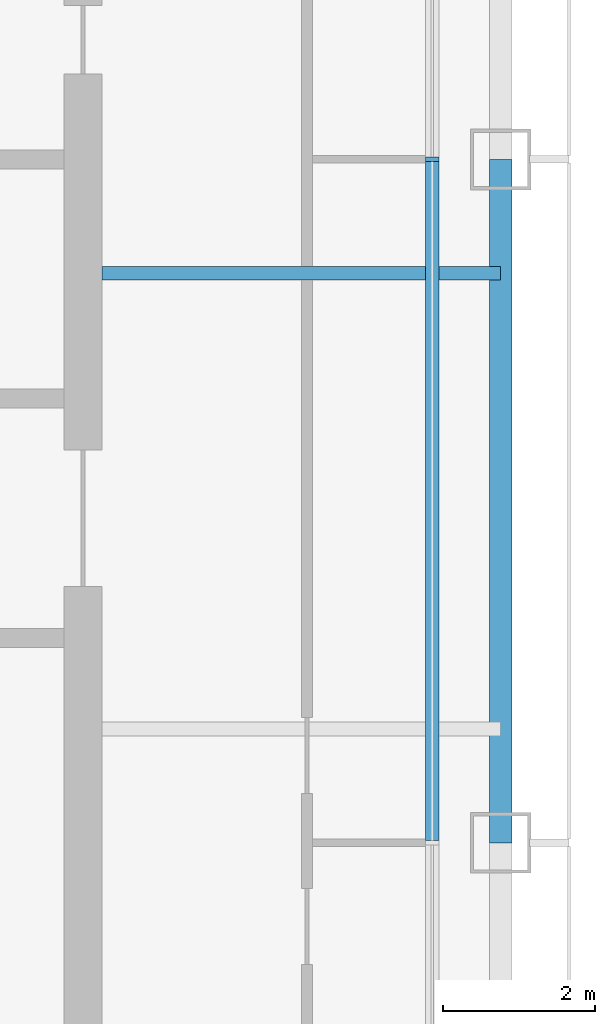
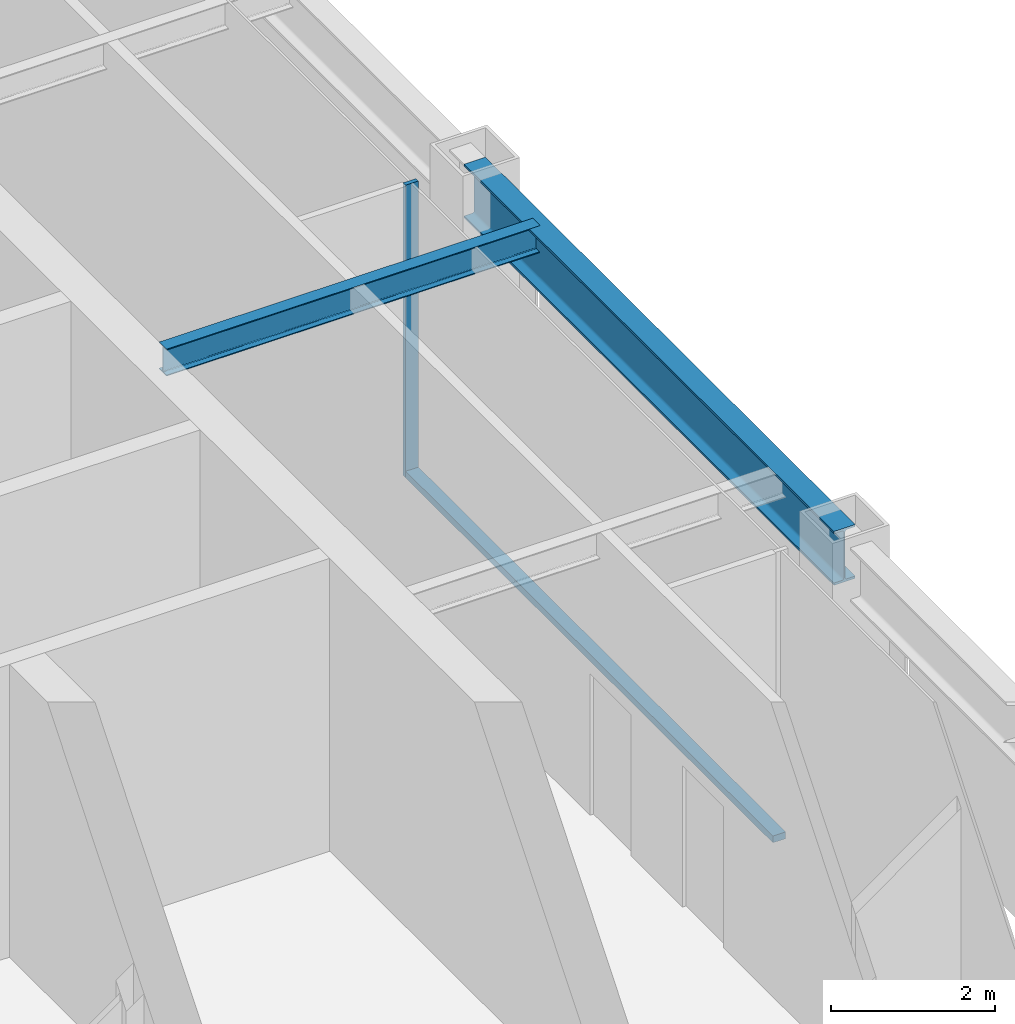
# One storey, part 5 of 23: 2 beams, 2 members, 1 element without a shape of its own.
"""IFC4 building model written with IfcOpenShell, lengths in metres."""

import ifcopenshell
import ifcopenshell.guid

model = None  # the IFC model being written
_history = None  # IfcOwnerHistory: only IFC2X3 demands one
_inside = {}  # id of a spatial element -> (the spatial element, [elements in it])
_under = {}  # id of a project, library or spatial element -> (it, [spatial elements below it])
_declared = {}  # id of a project -> (the project, [libraries it declares])
_typed = {}  # id of a type object -> (the type object, [elements of that type])
_made_of = {}  # id of a material, layer set ... -> (it, [elements and type objects made of it])


def new_model(schema):
    """Start an empty IFC model of exactly this schema.

    Asked for "IFC4X3", IfcOpenShell would pick the latest addendum, in which some entities
    have other attributes; the version numbers below select the first issue.
    IFC2X3 requires an IfcOwnerHistory on every rooted entity: one is made here for all.
    """
    global model, _history
    if schema == "IFC4X3":
        model = ifcopenshell.file(schema_version=(4, 3, 0, 0))
    else:
        model = ifcopenshell.file(schema=schema)
    _inside.clear()
    _under.clear()
    _declared.clear()
    _typed.clear()
    _made_of.clear()
    _history = None
    if model.schema == "IFC2X3":
        org = make("IfcOrganization", Name="unknown")
        user = make(
            "IfcPersonAndOrganization",
            ThePerson=make("IfcPerson", FamilyName="unknown"),
            TheOrganization=org,
        )
        app = make(
            "IfcApplication",
            ApplicationDeveloper=org,
            Version="unknown",
            ApplicationFullName="unknown",
            ApplicationIdentifier="unknown",
        )
        _history = make(
            "IfcOwnerHistory",
            OwningUser=user,
            OwningApplication=app,
            ChangeAction="ADDED",
            CreationDate=0,
        )
    return model


def make(cls, **values):
    """One entity of the class cls with the attributes given. An attribute that is None is left unset."""
    return model.create_entity(
        cls, **{name: value for name, value in values.items() if value is not None}
    )


def rooted(cls, **values):
    """An entity with a GlobalId (a new one), such as an element, a storey or a relation."""
    return make(cls, GlobalId=ifcopenshell.guid.new(), OwnerHistory=_history, **values)


def si_unit(unit_type, name, prefix=None):
    """IfcSIUnit, for example si_unit("LENGTHUNIT", "METRE", prefix="MILLI")."""
    return make("IfcSIUnit", UnitType=unit_type, Prefix=prefix, Name=name)


def assignment(units):
    """IfcUnitAssignment: the units of a project."""
    return None if units is None else make("IfcUnitAssignment", Units=units)


def point(xyz):
    """IfcCartesianPoint."""
    return None if xyz is None else make("IfcCartesianPoint", Coordinates=xyz)


def direction(xyz):
    """IfcDirection."""
    return None if xyz is None else make("IfcDirection", DirectionRatios=xyz)


def frame(location, z_axis=None, x_axis=None):
    """IfcAxis2Placement3D, a coordinate frame: its origin and axes. An axis left out is left unset."""
    return make(
        "IfcAxis2Placement3D",
        Location=point(location),
        Axis=direction(z_axis),
        RefDirection=direction(x_axis),
    )


def frame_2d(location, x_axis=None):
    """IfcAxis2Placement2D, a coordinate frame in the plane: its origin and x axis."""
    return make(
        "IfcAxis2Placement2D", Location=point(location), RefDirection=direction(x_axis)
    )


def origin():
    """The frame at (0, 0, 0) with its axes left unset."""
    return frame((0.0, 0.0, 0.0))


def origin_2d():
    """The frame at (0, 0) in the plane with its x axis left unset."""
    return frame_2d((0.0, 0.0))


def place(relative_to, where):
    """IfcLocalPlacement: puts the frame where relative to a parent placement (None: the world)."""
    return make(
        "IfcLocalPlacement", PlacementRelTo=relative_to, RelativePlacement=where
    )


def context(
    kind, dimensions, precision=None, world=None, true_north=None, identifier=None
):
    """IfcGeometricRepresentationContext, for example the 3D "Model" context."""
    return make(
        "IfcGeometricRepresentationContext",
        ContextIdentifier=identifier,
        ContextType=kind,
        CoordinateSpaceDimension=dimensions,
        Precision=precision,
        WorldCoordinateSystem=world,
        TrueNorth=true_north,
    )


def subcontext(parent, identifier, kind, view, scale=None):
    """IfcGeometricRepresentationSubContext, for example "Body" below "Model"."""
    return make(
        "IfcGeometricRepresentationSubContext",
        ContextIdentifier=identifier,
        ContextType=kind,
        ParentContext=parent,
        TargetScale=scale,
        TargetView=view,
    )


def project(units=None, contexts=None):
    """IfcProject with its units and contexts."""
    return rooted(
        "IfcProject",
        Name="project",
        RepresentationContexts=contexts,
        UnitsInContext=assignment(units),
    )


def spatial(cls, under=None, at=None, **own):
    """A site, building, storey or space (cls), placed at a placement, below another one or the project."""
    s = rooted(cls, ObjectPlacement=at, **own)
    if under is not None:
        _under.setdefault(under.id(), (under, []))[1].append(s)
    return s


def profile(cls, at=None, kind="AREA", **sizes):
    """A parametric profile (cls). Its sizes go by their IFC names, for example OverallWidth=200.0."""
    return make(cls, ProfileType=kind, Position=at, **sizes)


def rectangle(**sizes):
    """IfcRectangleProfileDef."""
    return profile("IfcRectangleProfileDef", **sizes)


def i_section(**sizes):
    """IfcIShapeProfileDef."""
    return profile("IfcIShapeProfileDef", **sizes)


def extrude(swept, where, along, depth):
    """IfcExtrudedAreaSolid: the profile swept, set in the frame where, extruded along a direction by depth."""
    return make(
        "IfcExtrudedAreaSolid",
        SweptArea=swept,
        Position=where,
        ExtrudedDirection=direction(along),
        Depth=depth,
    )


def shape(context_of_items, identifier, shape_type, items):
    """IfcShapeRepresentation: the items that make up one representation, for example the "Body"."""
    return make(
        "IfcShapeRepresentation",
        ContextOfItems=context_of_items,
        RepresentationIdentifier=identifier,
        RepresentationType=shape_type,
        Items=items,
    )


def material(Name=None, Category=None):
    """IfcMaterial."""
    return make("IfcMaterial", Name=Name, Category=Category)


def layer(
    of_material, thickness, ventilated=None, Name=None, Category=None, Priority=None
):
    """IfcMaterialLayer: one layer of a wall or slab, of a material (None: an air gap)."""
    return make(
        "IfcMaterialLayer",
        Material=of_material,
        LayerThickness=thickness,
        IsVentilated=ventilated,
        Name=Name,
        Category=Category,
        Priority=Priority,
    )


def layer_set(layers, Name=None):
    """IfcMaterialLayerSet."""
    return make("IfcMaterialLayerSet", MaterialLayers=layers, LayerSetName=Name)


def material_profile(
    of_material, cross_section, Name=None, Category=None, Priority=None
):
    """IfcMaterialProfile: a cross section and its material."""
    return make(
        "IfcMaterialProfile",
        Name=Name,
        Material=of_material,
        Profile=cross_section,
        Priority=Priority,
        Category=Category,
    )


def profile_set(profiles, Name=None, composite=None):
    """IfcMaterialProfileSet."""
    return make(
        "IfcMaterialProfileSet",
        Name=Name,
        MaterialProfiles=profiles,
        CompositeProfile=composite,
    )


def made_of(thing, what):
    """Note that an element or type object is made of a material, layer set ...; save() writes the relation."""
    if what is not None:
        _made_of.setdefault(what.id(), (what, []))[1].append(thing)
    return thing


def type_object(cls, material=None, **own):
    """A type object (cls), such as IfcWallType, which elements share."""
    return made_of(rooted(cls, **own), material)


def element(
    cls,
    number,
    at=None,
    inside=None,
    cuts=None,
    type_object=None,
    material=None,
    context=None,
    identifier="Body",
    shape_type=None,
    held_by="IfcProductDefinitionShape",
    body=None,
    shapes=None,
    **own,
):
    """One element of the class cls, such as IfcWall. Its Tag is "e" and its number.

    at: its placement. inside: the storey or other place that contains it. cuts: it is an
    opening in that element (IfcRelVoidsElement). A single representation is given by context,
    identifier, shape_type and body (its items); several are given by shapes. held_by: the class
    of the entity that holds the representations. save() writes the other relations.
    """
    e = rooted(cls, Tag="e%d" % number, ObjectPlacement=at, **own)
    if body is not None:
        shapes = [shape(context, identifier, shape_type, body)]
    if shapes is not None:
        e.Representation = make(held_by, Representations=shapes)
    if inside is not None:
        _inside.setdefault(inside.id(), (inside, []))[1].append(e)
    if cuts is not None:
        rooted(
            "IfcRelVoidsElement", RelatingBuildingElement=cuts, RelatedOpeningElement=e
        )
    if type_object is not None:
        _typed.setdefault(type_object.id(), (type_object, []))[1].append(e)
    return made_of(e, material)


def aggregate(whole, parts):
    """IfcRelAggregates: a whole, such as a stair, and the parts it consists of."""
    return rooted("IfcRelAggregates", RelatingObject=whole, RelatedObjects=parts)


def save(model, path):
    """Write the relations noted so far, then the file.

    IfcRelAggregates (storeys below a building ...), IfcRelContainedInSpatialStructure (elements
    in a storey), IfcRelDefinesByType, IfcRelAssociatesMaterial and IfcRelDeclares: one each for
    every whole, place, type object, material and project.
    """
    for whole, parts in _under.values():
        aggregate(whole, parts)
    for where, things in _inside.values():
        rooted(
            "IfcRelContainedInSpatialStructure",
            RelatedElements=things,
            RelatingStructure=where,
        )
    for kind, things in _typed.values():
        rooted("IfcRelDefinesByType", RelatedObjects=things, RelatingType=kind)
    for what, things in _made_of.values():
        rooted("IfcRelAssociatesMaterial", RelatedObjects=things, RelatingMaterial=what)
    for by, libraries in _declared.values():
        rooted("IfcRelDeclares", RelatingContext=by, RelatedDefinitions=libraries)
    model.write(path)


model = new_model("IFC4")

# Units and contexts
model_context = context("Model", 3, precision=1e-05, world=origin(), true_north=direction((0.0, 1.0)))
body_context = subcontext(model_context, "Body", "Model", "MODEL_VIEW")
ifc_project = project(units=[si_unit("LENGTHUNIT", "METRE"), si_unit("AREAUNIT", "SQUARE_METRE"), si_unit("VOLUMEUNIT", "CUBIC_METRE"), si_unit("PLANEANGLEUNIT", "RADIAN"), si_unit("MASSUNIT", "GRAM", prefix="KILO")], contexts=[model_context])

# Site, building, storey
site_placement = place(None, origin())
site = spatial("IfcSite", under=ifc_project, at=site_placement, CompositionType="ELEMENT")
building_placement = place(site_placement, origin())
building = spatial("IfcBuilding", under=site, at=building_placement, Name="Siwar Civic Tower", CompositionType="ELEMENT")
storey_placement = place(building_placement, frame((0.0, 0.0, 260.199951171875)))
storey = spatial("IfcBuildingStorey", under=building, at=storey_placement, Name="L56", CompositionType="ELEMENT", Elevation=260.199951171875)

# Curtain wall, members
ifc_material_1 = material(Name="Aluminium and glass", Category="aluminium")
ifc_layer = layer(ifc_material_1, 0.179931640625)
ifc_layer_set = layer_set([ifc_layer], Name="Aluminium and glass")
curtain_wall_type = type_object("IfcCurtainWallType", Name="ENV-CW-C", PredefinedType="NOTDEFINED", material=ifc_layer_set)
curtain_wall_placement = place(storey_placement, origin())
curtain_wall = element("IfcCurtainWall", 1, at=curtain_wall_placement, inside=storey, type_object=curtain_wall_type, Name="Curtain wall C E", PredefinedType="NOTDEFINED")
ifc_material_2 = material(Name="Aluminium 6063-T6", Category="aluminium")
ifc_material_profile_1 = material_profile(ifc_material_2, rectangle(XDim=0.179931640625, YDim=0.06005859375, at=origin_2d()), Name="AL 180x60")
ifc_profile_set_1 = profile_set([ifc_material_profile_1], Name="Aluminium 6063-T6")
member_type_1 = type_object("IfcMemberType", Name="ENV-MULLION-C", PredefinedType="MULLION", material=ifc_profile_set_1)
member_1_placement = place(storey_placement, frame((26.10009765625, 0.0, 0.0), z_axis=(0.0, 0.0, 1.0), x_axis=(-1.0, 0.0, 0.0)))
member_1 = element("IfcMember", 2, at=member_1_placement, type_object=member_type_1, Name="Mullion C E 3", PredefinedType="MULLION", context=body_context, shape_type="SweptSolid", body=[
    extrude(rectangle(XDim=0.179931640625, YDim=0.06005859375, at=origin_2d()), origin(), (0.0, 0.0, 1.0), 4.35009765625),
])
ifc_material_3 = material(Name="Aluminium 6063-T6", Category="aluminium")
ifc_material_profile_2 = material_profile(ifc_material_3, rectangle(XDim=0.179931640625, YDim=0.10009765625, at=origin_2d()), Name="AL 180x100")
ifc_profile_set_2 = profile_set([ifc_material_profile_2], Name="Aluminium 6063-T6")
member_type_2 = type_object("IfcMemberType", Name="ENV-TRANSOM-C", PredefinedType="USERDEFINED", material=ifc_profile_set_2)
member_2_placement = place(storey_placement, frame((26.10009765625, -8.969970703125, 0.050048828125), z_axis=(0.0, 1.0, 0.0), x_axis=(-1.0, 0.0, 0.0)))
member_2 = element("IfcMember", 3, at=member_2_placement, type_object=member_type_2, Name="Transom C E 2", ObjectType="TRANSOM", PredefinedType="USERDEFINED", context=body_context, shape_type="SweptSolid", body=[
    extrude(rectangle(XDim=0.179931640625, YDim=0.10009765625, at=origin_2d()), origin(), (0.0, 0.0, 1.0), 8.93994140625),
])
aggregate(curtain_wall, [member_1, member_2])

# Beams
ifc_material_4 = material(Name="Steel S355", Category="steel")
ifc_material_profile_3 = material_profile(ifc_material_4, i_section(OverallWidth=0.179931640625, OverallDepth=0.39990234375, WebThickness=0.008544921875, FlangeThickness=0.013427734375, FilletRadius=0.02099609375, at=origin_2d()), Name="IPE400")
ifc_profile_set_3 = profile_set([ifc_material_profile_3], Name="Steel S355")
beam_type_1 = type_object("IfcBeamType", Name="STR-FB-IPE400", PredefinedType="JOIST", material=ifc_profile_set_3)
beam_1_placement = place(storey_placement, frame((21.75, -1.5, 4.150146484375), z_axis=(1.0, 0.0, 0.0), x_axis=(0.0, 1.0, 0.0)))
element("IfcBeam", 4, at=beam_1_placement, inside=storey, type_object=beam_type_1, Name="L56/bm/F024", PredefinedType="JOIST", context=body_context, shape_type="SweptSolid", body=[
    extrude(i_section(OverallWidth=0.179931640625, OverallDepth=0.39990234375, WebThickness=0.008544921875, FlangeThickness=0.013427734375, FilletRadius=0.02099609375, at=origin_2d()), origin(), (0.0, 0.0, 1.0), 5.25),
])
ifc_material_5 = material(Name="Steel S355", Category="steel")
ifc_material_profile_4 = material_profile(ifc_material_5, i_section(OverallWidth=0.300048828125, OverallDepth=0.800048828125, WebThickness=0.017578125, FlangeThickness=0.032958984375, FilletRadius=0.030029296875, at=origin_2d()), Name="HEB800")
ifc_profile_set_4 = profile_set([ifc_material_profile_4], Name="Steel S355")
beam_type_2 = type_object("IfcBeamType", Name="STR-SB-HEB800", PredefinedType="BEAM", material=ifc_profile_set_4)
beam_2_placement = place(storey_placement, frame((27.0, -9.0, 3.949951171875), z_axis=(0.0, 1.0, 0.0), x_axis=(-1.0, 0.0, 0.0)))
element("IfcBeam", 5, at=beam_2_placement, inside=storey, type_object=beam_type_2, Name="L56/bm/SE-1", PredefinedType="BEAM", context=body_context, shape_type="SweptSolid", body=[
    extrude(i_section(OverallWidth=0.300048828125, OverallDepth=0.800048828125, WebThickness=0.017578125, FlangeThickness=0.032958984375, FilletRadius=0.030029296875, at=origin_2d()), origin(), (0.0, 0.0, 1.0), 9.0),
])

save(model, "model.ifc")
